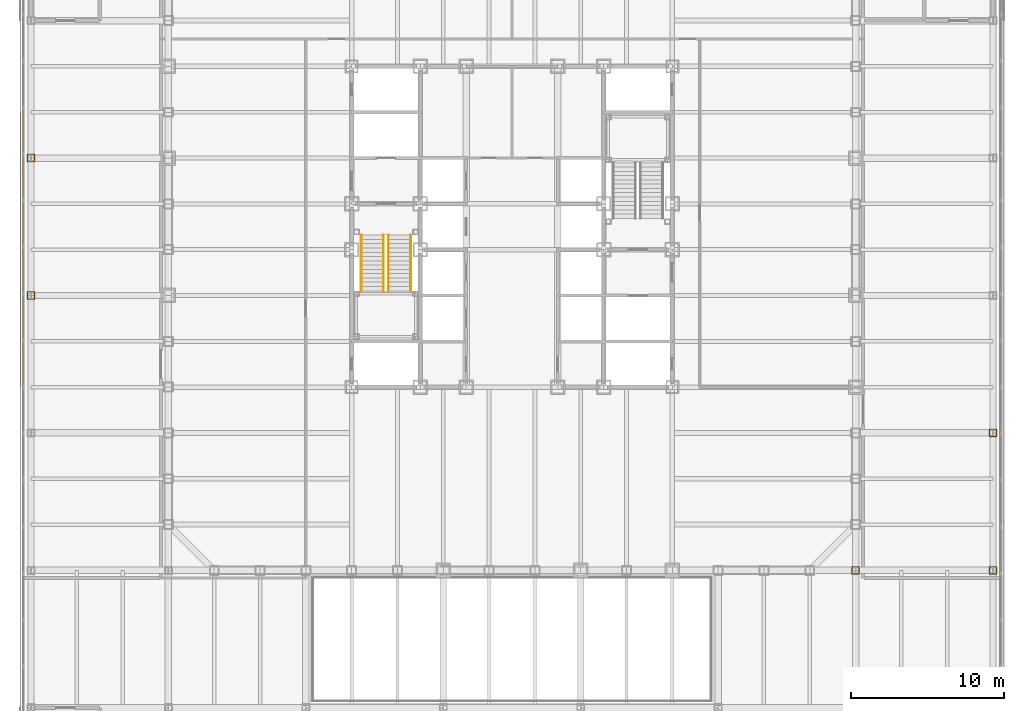
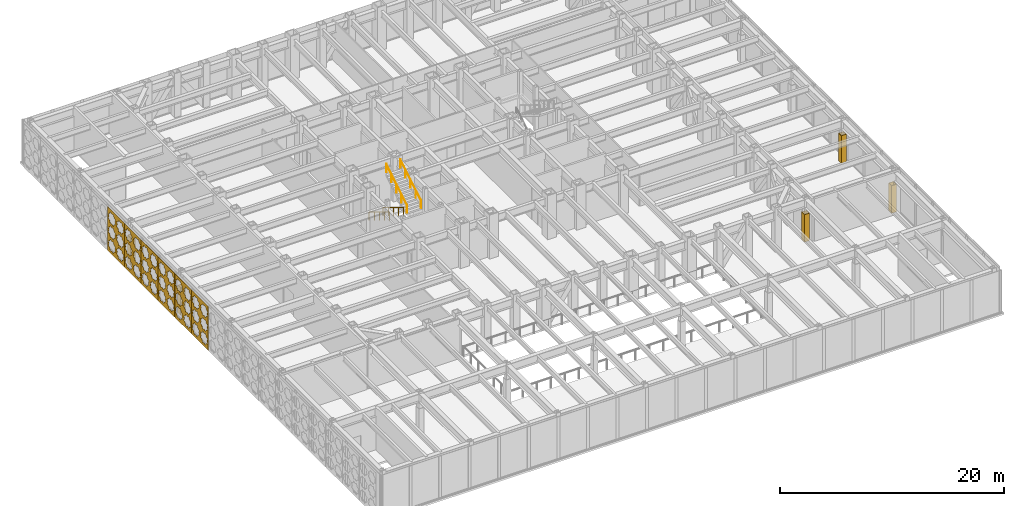
# One storey, part 20 of 24: 6 shading devices, 5 coverings, 4 railings.
"""IFC4 building model written with IfcOpenShell, lengths in metres."""

import ifcopenshell
import ifcopenshell.guid

model = None  # the IFC model being written
_history = None  # IfcOwnerHistory: only IFC2X3 demands one
_inside = {}  # id of a spatial element -> (the spatial element, [elements in it])
_under = {}  # id of a project, library or spatial element -> (it, [spatial elements below it])
_declared = {}  # id of a project -> (the project, [libraries it declares])
_typed = {}  # id of a type object -> (the type object, [elements of that type])
_made_of = {}  # id of a material, layer set ... -> (it, [elements and type objects made of it])


def new_model(schema):
    """Start an empty IFC model of exactly this schema.

    Asked for "IFC4X3", IfcOpenShell would pick the latest addendum, in which some entities
    have other attributes; the version numbers below select the first issue.
    IFC2X3 requires an IfcOwnerHistory on every rooted entity: one is made here for all.
    """
    global model, _history
    if schema == "IFC4X3":
        model = ifcopenshell.file(schema_version=(4, 3, 0, 0))
    else:
        model = ifcopenshell.file(schema=schema)
    _inside.clear()
    _under.clear()
    _declared.clear()
    _typed.clear()
    _made_of.clear()
    _history = None
    if model.schema == "IFC2X3":
        org = make("IfcOrganization", Name="unknown")
        user = make(
            "IfcPersonAndOrganization",
            ThePerson=make("IfcPerson", FamilyName="unknown"),
            TheOrganization=org,
        )
        app = make(
            "IfcApplication",
            ApplicationDeveloper=org,
            Version="unknown",
            ApplicationFullName="unknown",
            ApplicationIdentifier="unknown",
        )
        _history = make(
            "IfcOwnerHistory",
            OwningUser=user,
            OwningApplication=app,
            ChangeAction="ADDED",
            CreationDate=0,
        )
    return model


def make(cls, **values):
    """One entity of the class cls with the attributes given. An attribute that is None is left unset."""
    return model.create_entity(
        cls, **{name: value for name, value in values.items() if value is not None}
    )


def rooted(cls, **values):
    """An entity with a GlobalId (a new one), such as an element, a storey or a relation."""
    return make(cls, GlobalId=ifcopenshell.guid.new(), OwnerHistory=_history, **values)


def si_unit(unit_type, name, prefix=None):
    """IfcSIUnit, for example si_unit("LENGTHUNIT", "METRE", prefix="MILLI")."""
    return make("IfcSIUnit", UnitType=unit_type, Prefix=prefix, Name=name)


def assignment(units):
    """IfcUnitAssignment: the units of a project."""
    return None if units is None else make("IfcUnitAssignment", Units=units)


def point(xyz):
    """IfcCartesianPoint."""
    return None if xyz is None else make("IfcCartesianPoint", Coordinates=xyz)


def direction(xyz):
    """IfcDirection."""
    return None if xyz is None else make("IfcDirection", DirectionRatios=xyz)


def frame(location, z_axis=None, x_axis=None):
    """IfcAxis2Placement3D, a coordinate frame: its origin and axes. An axis left out is left unset."""
    return make(
        "IfcAxis2Placement3D",
        Location=point(location),
        Axis=direction(z_axis),
        RefDirection=direction(x_axis),
    )


def frame_2d(location, x_axis=None):
    """IfcAxis2Placement2D, a coordinate frame in the plane: its origin and x axis."""
    return make(
        "IfcAxis2Placement2D", Location=point(location), RefDirection=direction(x_axis)
    )


def origin():
    """The frame at (0, 0, 0) with its axes left unset."""
    return frame((0.0, 0.0, 0.0))


def origin_2d():
    """The frame at (0, 0) in the plane with its x axis left unset."""
    return frame_2d((0.0, 0.0))


def place(relative_to, where):
    """IfcLocalPlacement: puts the frame where relative to a parent placement (None: the world)."""
    return make(
        "IfcLocalPlacement", PlacementRelTo=relative_to, RelativePlacement=where
    )


def context(
    kind, dimensions, precision=None, world=None, true_north=None, identifier=None
):
    """IfcGeometricRepresentationContext, for example the 3D "Model" context."""
    return make(
        "IfcGeometricRepresentationContext",
        ContextIdentifier=identifier,
        ContextType=kind,
        CoordinateSpaceDimension=dimensions,
        Precision=precision,
        WorldCoordinateSystem=world,
        TrueNorth=true_north,
    )


def subcontext(parent, identifier, kind, view, scale=None):
    """IfcGeometricRepresentationSubContext, for example "Body" below "Model"."""
    return make(
        "IfcGeometricRepresentationSubContext",
        ContextIdentifier=identifier,
        ContextType=kind,
        ParentContext=parent,
        TargetScale=scale,
        TargetView=view,
    )


def project(units=None, contexts=None):
    """IfcProject with its units and contexts."""
    return rooted(
        "IfcProject",
        Name="project",
        RepresentationContexts=contexts,
        UnitsInContext=assignment(units),
    )


def spatial(cls, under=None, at=None, **own):
    """A site, building, storey or space (cls), placed at a placement, below another one or the project."""
    s = rooted(cls, ObjectPlacement=at, **own)
    if under is not None:
        _under.setdefault(under.id(), (under, []))[1].append(s)
    return s


def polyline(points):
    """IfcPolyline through the points."""
    return make("IfcPolyline", Points=[point(p) for p in points])


def profile(cls, at=None, kind="AREA", **sizes):
    """A parametric profile (cls). Its sizes go by their IFC names, for example OverallWidth=200.0."""
    return make(cls, ProfileType=kind, Position=at, **sizes)


def circle(**sizes):
    """IfcCircleProfileDef."""
    return profile("IfcCircleProfileDef", **sizes)


def outline(outer, holes=None, kind="AREA"):
    """IfcArbitraryClosedProfileDef: a profile drawn as a closed curve; with holes, ...WithVoids."""
    if holes is None:
        return make("IfcArbitraryClosedProfileDef", ProfileType=kind, OuterCurve=outer)
    return make(
        "IfcArbitraryProfileDefWithVoids",
        ProfileType=kind,
        OuterCurve=outer,
        InnerCurves=holes,
    )


def extrude(swept, where, along, depth):
    """IfcExtrudedAreaSolid: the profile swept, set in the frame where, extruded along a direction by depth."""
    return make(
        "IfcExtrudedAreaSolid",
        SweptArea=swept,
        Position=where,
        ExtrudedDirection=direction(along),
        Depth=depth,
    )


def shape(context_of_items, identifier, shape_type, items):
    """IfcShapeRepresentation: the items that make up one representation, for example the "Body"."""
    return make(
        "IfcShapeRepresentation",
        ContextOfItems=context_of_items,
        RepresentationIdentifier=identifier,
        RepresentationType=shape_type,
        Items=items,
    )


def material(Name=None, Category=None):
    """IfcMaterial."""
    return make("IfcMaterial", Name=Name, Category=Category)


def layer(
    of_material, thickness, ventilated=None, Name=None, Category=None, Priority=None
):
    """IfcMaterialLayer: one layer of a wall or slab, of a material (None: an air gap)."""
    return make(
        "IfcMaterialLayer",
        Material=of_material,
        LayerThickness=thickness,
        IsVentilated=ventilated,
        Name=Name,
        Category=Category,
        Priority=Priority,
    )


def layer_set(layers, Name=None):
    """IfcMaterialLayerSet."""
    return make("IfcMaterialLayerSet", MaterialLayers=layers, LayerSetName=Name)


def made_of(thing, what):
    """Note that an element or type object is made of a material, layer set ...; save() writes the relation."""
    if what is not None:
        _made_of.setdefault(what.id(), (what, []))[1].append(thing)
    return thing


def type_object(cls, material=None, **own):
    """A type object (cls), such as IfcWallType, which elements share."""
    return made_of(rooted(cls, **own), material)


def element(
    cls,
    number,
    at=None,
    inside=None,
    cuts=None,
    type_object=None,
    material=None,
    context=None,
    identifier="Body",
    shape_type=None,
    held_by="IfcProductDefinitionShape",
    body=None,
    shapes=None,
    **own,
):
    """One element of the class cls, such as IfcWall. Its Tag is "e" and its number.

    at: its placement. inside: the storey or other place that contains it. cuts: it is an
    opening in that element (IfcRelVoidsElement). A single representation is given by context,
    identifier, shape_type and body (its items); several are given by shapes. held_by: the class
    of the entity that holds the representations. save() writes the other relations.
    """
    e = rooted(cls, Tag="e%d" % number, ObjectPlacement=at, **own)
    if body is not None:
        shapes = [shape(context, identifier, shape_type, body)]
    if shapes is not None:
        e.Representation = make(held_by, Representations=shapes)
    if inside is not None:
        _inside.setdefault(inside.id(), (inside, []))[1].append(e)
    if cuts is not None:
        rooted(
            "IfcRelVoidsElement", RelatingBuildingElement=cuts, RelatedOpeningElement=e
        )
    if type_object is not None:
        _typed.setdefault(type_object.id(), (type_object, []))[1].append(e)
    return made_of(e, material)


def aggregate(whole, parts):
    """IfcRelAggregates: a whole, such as a stair, and the parts it consists of."""
    return rooted("IfcRelAggregates", RelatingObject=whole, RelatedObjects=parts)


def save(model, path):
    """Write the relations noted so far, then the file.

    IfcRelAggregates (storeys below a building ...), IfcRelContainedInSpatialStructure (elements
    in a storey), IfcRelDefinesByType, IfcRelAssociatesMaterial and IfcRelDeclares: one each for
    every whole, place, type object, material and project.
    """
    for whole, parts in _under.values():
        aggregate(whole, parts)
    for where, things in _inside.values():
        rooted(
            "IfcRelContainedInSpatialStructure",
            RelatedElements=things,
            RelatingStructure=where,
        )
    for kind, things in _typed.values():
        rooted("IfcRelDefinesByType", RelatedObjects=things, RelatingType=kind)
    for what, things in _made_of.values():
        rooted("IfcRelAssociatesMaterial", RelatedObjects=things, RelatingMaterial=what)
    for by, libraries in _declared.values():
        rooted("IfcRelDeclares", RelatingContext=by, RelatedDefinitions=libraries)
    model.write(path)


model = new_model("IFC4")

# Units and contexts
model_context = context("Model", 3, precision=1e-05, world=origin(), true_north=direction((0.0, 1.0)))
body_context = subcontext(model_context, "Body", "Model", "MODEL_VIEW")
ifc_project = project(units=[si_unit("LENGTHUNIT", "METRE"), si_unit("AREAUNIT", "SQUARE_METRE"), si_unit("VOLUMEUNIT", "CUBIC_METRE"), si_unit("PLANEANGLEUNIT", "RADIAN"), si_unit("MASSUNIT", "GRAM", prefix="KILO")], contexts=[model_context])

# Site, building, storey
site_placement = place(None, origin())
site = spatial("IfcSite", under=ifc_project, at=site_placement, CompositionType="ELEMENT")
building_placement = place(site_placement, origin())
building = spatial("IfcBuilding", under=site, at=building_placement, Name="Chuquiago Exchange Tower", CompositionType="ELEMENT")
storey_placement = place(building_placement, frame((0.0, 0.0, 19.5)))
storey = spatial("IfcBuildingStorey", under=building, at=storey_placement, Name="L03", CompositionType="ELEMENT", Elevation=19.5)

# Coverings
ifc_material_1 = material(Name="Pale metal sheet casing on rails", Category="aluminium")
ifc_layer_1 = layer(ifc_material_1, 0.050048828125)
ifc_layer_set_1 = layer_set([ifc_layer_1], Name="CS1 column casing 50")
covering_type = type_object("IfcCoveringType", Name="CS1 column casing 50", PredefinedType="CLADDING", material=ifc_layer_set_1)
covering_1_placement = place(storey_placement, origin())
element("IfcCovering", 1, at=covering_1_placement, inside=storey, type_object=covering_type, Name="Column casing L03", PredefinedType="CLADDING", context=body_context, shape_type="SweptSolid", body=[
    extrude(outline(polyline([(-9.255615234375, 17.73291015625), (-8.744384765625, 17.73291015625), (-8.744384765625, 18.26708984375), (-9.255615234375, 18.26708984375), (-9.255615234375, 17.73291015625)]), holes=[polyline([(-9.205810546875, 17.78271484375), (-9.205810546875, 18.21728515625), (-8.794189453125, 18.21728515625), (-8.794189453125, 17.78271484375), (-9.205810546875, 17.78271484375)])]), origin(), (0.0, 0.0, 1.0), 3.0),
])
covering_2_placement = place(storey_placement, origin())
element("IfcCovering", 2, at=covering_2_placement, inside=storey, type_object=covering_type, Name="Column casing L03", PredefinedType="CLADDING", context=body_context, shape_type="SweptSolid", body=[
    extrude(outline(polyline([(-9.255615234375, 26.73291015625), (-8.744384765625, 26.73291015625), (-8.744384765625, 27.26708984375), (-9.255615234375, 27.26708984375), (-9.255615234375, 26.73291015625)]), holes=[polyline([(-9.205810546875, 26.78271484375), (-9.205810546875, 27.21728515625), (-8.794189453125, 27.21728515625), (-8.794189453125, 26.78271484375), (-9.205810546875, 26.78271484375)])]), origin(), (0.0, 0.0, 1.0), 3.0),
])
covering_3_placement = place(storey_placement, origin())
element("IfcCovering", 3, at=covering_3_placement, inside=storey, type_object=covering_type, Name="Column casing L03", PredefinedType="CLADDING", context=body_context, shape_type="SweptSolid", body=[
    extrude(outline(polyline([(44.744384765625, -0.26708984375), (45.255615234375, -0.26708984375), (45.255615234375, 0.26708984375), (44.744384765625, 0.26708984375), (44.744384765625, -0.26708984375)]), holes=[polyline([(44.794189453125, -0.21728515625), (44.794189453125, 0.21728515625), (45.205810546875, 0.21728515625), (45.205810546875, -0.21728515625), (44.794189453125, -0.21728515625)])]), origin(), (0.0, 0.0, 1.0), 3.0),
])
covering_4_placement = place(storey_placement, origin())
element("IfcCovering", 4, at=covering_4_placement, inside=storey, type_object=covering_type, Name="Column casing L03", PredefinedType="CLADDING", context=body_context, shape_type="SweptSolid", body=[
    extrude(outline(polyline([(53.744384765625, -0.26708984375), (54.255615234375, -0.26708984375), (54.255615234375, 0.26708984375), (53.744384765625, 0.26708984375), (53.744384765625, -0.26708984375)]), holes=[polyline([(53.794189453125, -0.21728515625), (53.794189453125, 0.21728515625), (54.205810546875, 0.21728515625), (54.205810546875, -0.21728515625), (53.794189453125, -0.21728515625)])]), origin(), (0.0, 0.0, 1.0), 3.0),
])
covering_5_placement = place(storey_placement, origin())
element("IfcCovering", 5, at=covering_5_placement, inside=storey, type_object=covering_type, Name="Column casing L03", PredefinedType="CLADDING", context=body_context, shape_type="SweptSolid", body=[
    extrude(outline(polyline([(53.744384765625, 8.73291015625), (54.255615234375, 8.73291015625), (54.255615234375, 9.26708984375), (53.744384765625, 9.26708984375), (53.744384765625, 8.73291015625)]), holes=[polyline([(53.794189453125, 8.78271484375), (53.794189453125, 9.21728515625), (54.205810546875, 9.21728515625), (54.205810546875, 8.78271484375), (53.794189453125, 8.78271484375)])]), origin(), (0.0, 0.0, 1.0), 3.0),
])

# Railings
ifc_material_2 = material(Name="Pale metal handrail", Category="steel")
railing_type = type_object("IfcRailingType", Name="HR1 handrail 900", PredefinedType="HANDRAIL", material=ifc_material_2)
for number, where, name in (
    (6, (12.635009765625, 21.949951171875, 0.17138671875), "Handrail ST1 L03 flight 1"),
    (7, (14.0849609375, 21.949951171875, 0.17138671875), "Handrail ST1 L03 flight 1"),
):
    element("IfcRailing", number, at=place(storey_placement, frame(where)), inside=storey, type_object=railing_type, Name=name, PredefinedType="HANDRAIL", context=body_context, shape_type="SweptSolid", body=[
        extrude(circle(Radius=0.02392578125, at=origin_2d()), frame((0.0, 0.0, 0.8759765625), z_axis=(0.0, -0.852850264322, 0.5221555579), x_axis=(1.0, 0.0, 0.0)), (0.0, 0.0, 1.0), 4.267822265625),
        extrude(circle(Radius=0.02099609375, at=origin_2d()), origin(), (0.0, 0.0, 1.0), 0.851806640625),
        extrude(circle(Radius=0.02099609375, at=origin_2d()), frame((0.0, -0.909912109375, 0.55712890625)), (0.0, 0.0, 1.0), 0.851806640625),
        extrude(circle(Radius=0.02099609375, at=origin_2d()), frame((0.0, -1.81982421875, 1.1142578125)), (0.0, 0.0, 1.0), 0.851806640625),
        extrude(circle(Radius=0.02099609375, at=origin_2d()), frame((0.0, -2.72998046875, 1.67138671875)), (0.0, 0.0, 1.0), 0.851806640625),
        extrude(circle(Radius=0.02099609375, at=origin_2d()), frame((0.0, -3.639892578125, 2.228515625)), (0.0, 0.0, 1.0), 0.851806640625),
    ])
for number, where, name in (
    (8, (15.864990234375, 18.31005859375, 2.5712890625), "Handrail ST1 L03 flight 2"),
    (9, (14.4150390625, 18.31005859375, 2.5712890625), "Handrail ST1 L03 flight 2"),
):
    element("IfcRailing", number, at=place(storey_placement, frame(where)), inside=storey, type_object=railing_type, Name=name, PredefinedType="HANDRAIL", context=body_context, shape_type="SweptSolid", body=[
        extrude(circle(Radius=0.02392578125, at=origin_2d()), frame((0.0, 0.0, 0.8759765625), z_axis=(0.0, 0.852824790078, 0.522197163366), x_axis=(-1.0, 0.0, 0.0)), (0.0, 0.0, 1.0), 4.26806640625),
        extrude(circle(Radius=0.02099609375, at=origin_2d()), origin(), (0.0, 0.0, 1.0), 0.851806640625),
        extrude(circle(Radius=0.02099609375, at=origin_2d()), frame((0.0, 0.909912109375, 0.55712890625)), (0.0, 0.0, 1.0), 0.851806640625),
        extrude(circle(Radius=0.02099609375, at=origin_2d()), frame((0.0, 1.81982421875, 1.1142578125)), (0.0, 0.0, 1.0), 0.851806640625),
        extrude(circle(Radius=0.02099609375, at=origin_2d()), frame((0.0, 2.72998046875, 1.671630859375)), (0.0, 0.0, 1.0), 0.851806640625),
        extrude(circle(Radius=0.02099609375, at=origin_2d()), frame((0.0, 3.639892578125, 2.228759765625)), (0.0, 0.0, 1.0), 0.851806640625),
    ])

# Shading devices
ifc_material_3 = material(Name="Pale metal, perforated in an eight-point star pattern", Category="aluminium")
ifc_layer_2 = layer(ifc_material_3, 0.02001953125)
ifc_layer_set_2 = layer_set([ifc_layer_2], Name="SC1 mashrabiya screen 20")
shading_device_type = type_object("IfcShadingDeviceType", Name="SC1 mashrabiya screen 20", PredefinedType="SHUTTER", material=ifc_layer_set_2)
shading_device_1_placement = place(storey_placement, frame((-9.699951171875, 14.989990234375, -0.199951171875), z_axis=(0.0, 0.0, 1.0), x_axis=(0.0, -1.0, 0.0)))
element("IfcShadingDevice", 10, at=shading_device_1_placement, inside=storey, type_object=shading_device_type, Name="Mashrabiya screen L03 W 11", PredefinedType="SHUTTER", context=body_context, shape_type="SweptSolid", body=[
    extrude(outline(polyline([(0.0, 0.0), (2.97998046875, 0.0), (2.97998046875, 4.800048828125), (0.0, 4.800048828125), (0.0, 0.0)]), holes=[polyline([(1.26953125, 0.909912109375), (1.378173828125, 1.17236328125), (1.115966796875, 1.281005859375), (1.00732421875, 1.543212890625), (0.7451171875, 1.4345703125), (0.482666015625, 1.543212890625), (0.3740234375, 1.281005859375), (0.11181640625, 1.17236328125), (0.220458984375, 0.909912109375), (0.11181640625, 0.647705078125), (0.3740234375, 0.5390625), (0.482666015625, 0.27685546875), (0.7451171875, 0.38525390625), (1.00732421875, 0.27685546875), (1.115966796875, 0.5390625), (1.378173828125, 0.647705078125), (1.26953125, 0.909912109375)]), polyline([(2.759521484375, 0.909912109375), (2.8681640625, 1.17236328125), (2.60595703125, 1.281005859375), (2.497314453125, 1.543212890625), (2.235107421875, 1.4345703125), (1.97265625, 1.543212890625), (1.864013671875, 1.281005859375), (1.601806640625, 1.17236328125), (1.71044921875, 0.909912109375), (1.601806640625, 0.647705078125), (1.864013671875, 0.5390625), (1.97265625, 0.27685546875), (2.235107421875, 0.38525390625), (2.497314453125, 0.27685546875), (2.60595703125, 0.5390625), (2.8681640625, 0.647705078125), (2.759521484375, 0.909912109375)]), polyline([(1.26953125, 2.39990234375), (1.378173828125, 2.662353515625), (1.115966796875, 2.77099609375), (1.00732421875, 3.033203125), (0.7451171875, 2.924560546875), (0.482666015625, 3.033203125), (0.3740234375, 2.77099609375), (0.11181640625, 2.662353515625), (0.220458984375, 2.39990234375), (0.11181640625, 2.1376953125), (0.3740234375, 2.029052734375), (0.482666015625, 1.766845703125), (0.7451171875, 1.875244140625), (1.00732421875, 1.766845703125), (1.115966796875, 2.029052734375), (1.378173828125, 2.1376953125), (1.26953125, 2.39990234375)]), polyline([(2.759521484375, 2.39990234375), (2.8681640625, 2.662353515625), (2.60595703125, 2.77099609375), (2.497314453125, 3.033203125), (2.235107421875, 2.924560546875), (1.97265625, 3.033203125), (1.864013671875, 2.77099609375), (1.601806640625, 2.662353515625), (1.71044921875, 2.39990234375), (1.601806640625, 2.1376953125), (1.864013671875, 2.029052734375), (1.97265625, 1.766845703125), (2.235107421875, 1.875244140625), (2.497314453125, 1.766845703125), (2.60595703125, 2.029052734375), (2.8681640625, 2.1376953125), (2.759521484375, 2.39990234375)]), polyline([(1.26953125, 3.889892578125), (1.378173828125, 4.15234375), (1.115966796875, 4.260986328125), (1.00732421875, 4.523193359375), (0.7451171875, 4.41455078125), (0.482666015625, 4.523193359375), (0.3740234375, 4.260986328125), (0.11181640625, 4.15234375), (0.220458984375, 3.889892578125), (0.11181640625, 3.627685546875), (0.3740234375, 3.51904296875), (0.482666015625, 3.2568359375), (0.7451171875, 3.365234375), (1.00732421875, 3.2568359375), (1.115966796875, 3.51904296875), (1.378173828125, 3.627685546875), (1.26953125, 3.889892578125)]), polyline([(2.759521484375, 3.889892578125), (2.8681640625, 4.15234375), (2.60595703125, 4.260986328125), (2.497314453125, 4.523193359375), (2.235107421875, 4.41455078125), (1.97265625, 4.523193359375), (1.864013671875, 4.260986328125), (1.601806640625, 4.15234375), (1.71044921875, 3.889892578125), (1.601806640625, 3.627685546875), (1.864013671875, 3.51904296875), (1.97265625, 3.2568359375), (2.235107421875, 3.365234375), (2.497314453125, 3.2568359375), (2.60595703125, 3.51904296875), (2.8681640625, 3.627685546875), (2.759521484375, 3.889892578125)])]), frame((0.0, 0.0, 0.0), z_axis=(0.0, -1.0, 0.0), x_axis=(1.0, 0.0, 0.0)), (0.0, 0.0, 1.0), 0.02001953125),
])
shading_device_2_placement = place(storey_placement, frame((-9.699951171875, 17.989990234375, -0.199951171875), z_axis=(0.0, 0.0, 1.0), x_axis=(0.0, -1.0, 0.0)))
element("IfcShadingDevice", 11, at=shading_device_2_placement, inside=storey, type_object=shading_device_type, Name="Mashrabiya screen L03 W 12", PredefinedType="SHUTTER", context=body_context, shape_type="SweptSolid", body=[
    extrude(outline(polyline([(0.0, 0.0), (2.97998046875, 0.0), (2.97998046875, 4.800048828125), (0.0, 4.800048828125), (0.0, 0.0)]), holes=[polyline([(1.26953125, 0.909912109375), (1.378173828125, 1.17236328125), (1.115966796875, 1.281005859375), (1.00732421875, 1.543212890625), (0.7451171875, 1.4345703125), (0.482666015625, 1.543212890625), (0.3740234375, 1.281005859375), (0.11181640625, 1.17236328125), (0.220458984375, 0.909912109375), (0.11181640625, 0.647705078125), (0.3740234375, 0.5390625), (0.482666015625, 0.27685546875), (0.7451171875, 0.38525390625), (1.00732421875, 0.27685546875), (1.115966796875, 0.5390625), (1.378173828125, 0.647705078125), (1.26953125, 0.909912109375)]), polyline([(2.759521484375, 0.909912109375), (2.8681640625, 1.17236328125), (2.60595703125, 1.281005859375), (2.497314453125, 1.543212890625), (2.235107421875, 1.4345703125), (1.97265625, 1.543212890625), (1.864013671875, 1.281005859375), (1.601806640625, 1.17236328125), (1.71044921875, 0.909912109375), (1.601806640625, 0.647705078125), (1.864013671875, 0.5390625), (1.97265625, 0.27685546875), (2.235107421875, 0.38525390625), (2.497314453125, 0.27685546875), (2.60595703125, 0.5390625), (2.8681640625, 0.647705078125), (2.759521484375, 0.909912109375)]), polyline([(1.26953125, 2.39990234375), (1.378173828125, 2.662353515625), (1.115966796875, 2.77099609375), (1.00732421875, 3.033203125), (0.7451171875, 2.924560546875), (0.482666015625, 3.033203125), (0.3740234375, 2.77099609375), (0.11181640625, 2.662353515625), (0.220458984375, 2.39990234375), (0.11181640625, 2.1376953125), (0.3740234375, 2.029052734375), (0.482666015625, 1.766845703125), (0.7451171875, 1.875244140625), (1.00732421875, 1.766845703125), (1.115966796875, 2.029052734375), (1.378173828125, 2.1376953125), (1.26953125, 2.39990234375)]), polyline([(2.759521484375, 2.39990234375), (2.8681640625, 2.662353515625), (2.60595703125, 2.77099609375), (2.497314453125, 3.033203125), (2.235107421875, 2.924560546875), (1.97265625, 3.033203125), (1.864013671875, 2.77099609375), (1.601806640625, 2.662353515625), (1.71044921875, 2.39990234375), (1.601806640625, 2.1376953125), (1.864013671875, 2.029052734375), (1.97265625, 1.766845703125), (2.235107421875, 1.875244140625), (2.497314453125, 1.766845703125), (2.60595703125, 2.029052734375), (2.8681640625, 2.1376953125), (2.759521484375, 2.39990234375)]), polyline([(1.26953125, 3.889892578125), (1.378173828125, 4.15234375), (1.115966796875, 4.260986328125), (1.00732421875, 4.523193359375), (0.7451171875, 4.41455078125), (0.482666015625, 4.523193359375), (0.3740234375, 4.260986328125), (0.11181640625, 4.15234375), (0.220458984375, 3.889892578125), (0.11181640625, 3.627685546875), (0.3740234375, 3.51904296875), (0.482666015625, 3.2568359375), (0.7451171875, 3.365234375), (1.00732421875, 3.2568359375), (1.115966796875, 3.51904296875), (1.378173828125, 3.627685546875), (1.26953125, 3.889892578125)]), polyline([(2.759521484375, 3.889892578125), (2.8681640625, 4.15234375), (2.60595703125, 4.260986328125), (2.497314453125, 4.523193359375), (2.235107421875, 4.41455078125), (1.97265625, 4.523193359375), (1.864013671875, 4.260986328125), (1.601806640625, 4.15234375), (1.71044921875, 3.889892578125), (1.601806640625, 3.627685546875), (1.864013671875, 3.51904296875), (1.97265625, 3.2568359375), (2.235107421875, 3.365234375), (2.497314453125, 3.2568359375), (2.60595703125, 3.51904296875), (2.8681640625, 3.627685546875), (2.759521484375, 3.889892578125)])]), frame((0.0, 0.0, 0.0), z_axis=(0.0, -1.0, 0.0), x_axis=(1.0, 0.0, 0.0)), (0.0, 0.0, 1.0), 0.02001953125),
])
shading_device_3_placement = place(storey_placement, frame((-9.699951171875, 20.989990234375, -0.199951171875), z_axis=(0.0, 0.0, 1.0), x_axis=(0.0, -1.0, 0.0)))
element("IfcShadingDevice", 12, at=shading_device_3_placement, inside=storey, type_object=shading_device_type, Name="Mashrabiya screen L03 W 13", PredefinedType="SHUTTER", context=body_context, shape_type="SweptSolid", body=[
    extrude(outline(polyline([(0.0, 0.0), (2.97998046875, 0.0), (2.97998046875, 4.800048828125), (0.0, 4.800048828125), (0.0, 0.0)]), holes=[polyline([(1.26953125, 0.909912109375), (1.378173828125, 1.17236328125), (1.115966796875, 1.281005859375), (1.00732421875, 1.543212890625), (0.7451171875, 1.4345703125), (0.482666015625, 1.543212890625), (0.3740234375, 1.281005859375), (0.11181640625, 1.17236328125), (0.220458984375, 0.909912109375), (0.11181640625, 0.647705078125), (0.3740234375, 0.5390625), (0.482666015625, 0.27685546875), (0.7451171875, 0.38525390625), (1.00732421875, 0.27685546875), (1.115966796875, 0.5390625), (1.378173828125, 0.647705078125), (1.26953125, 0.909912109375)]), polyline([(2.759521484375, 0.909912109375), (2.8681640625, 1.17236328125), (2.60595703125, 1.281005859375), (2.497314453125, 1.543212890625), (2.235107421875, 1.4345703125), (1.97265625, 1.543212890625), (1.864013671875, 1.281005859375), (1.601806640625, 1.17236328125), (1.71044921875, 0.909912109375), (1.601806640625, 0.647705078125), (1.864013671875, 0.5390625), (1.97265625, 0.27685546875), (2.235107421875, 0.38525390625), (2.497314453125, 0.27685546875), (2.60595703125, 0.5390625), (2.8681640625, 0.647705078125), (2.759521484375, 0.909912109375)]), polyline([(1.26953125, 2.39990234375), (1.378173828125, 2.662353515625), (1.115966796875, 2.77099609375), (1.00732421875, 3.033203125), (0.7451171875, 2.924560546875), (0.482666015625, 3.033203125), (0.3740234375, 2.77099609375), (0.11181640625, 2.662353515625), (0.220458984375, 2.39990234375), (0.11181640625, 2.1376953125), (0.3740234375, 2.029052734375), (0.482666015625, 1.766845703125), (0.7451171875, 1.875244140625), (1.00732421875, 1.766845703125), (1.115966796875, 2.029052734375), (1.378173828125, 2.1376953125), (1.26953125, 2.39990234375)]), polyline([(2.759521484375, 2.39990234375), (2.8681640625, 2.662353515625), (2.60595703125, 2.77099609375), (2.497314453125, 3.033203125), (2.235107421875, 2.924560546875), (1.97265625, 3.033203125), (1.864013671875, 2.77099609375), (1.601806640625, 2.662353515625), (1.71044921875, 2.39990234375), (1.601806640625, 2.1376953125), (1.864013671875, 2.029052734375), (1.97265625, 1.766845703125), (2.235107421875, 1.875244140625), (2.497314453125, 1.766845703125), (2.60595703125, 2.029052734375), (2.8681640625, 2.1376953125), (2.759521484375, 2.39990234375)]), polyline([(1.26953125, 3.889892578125), (1.378173828125, 4.15234375), (1.115966796875, 4.260986328125), (1.00732421875, 4.523193359375), (0.7451171875, 4.41455078125), (0.482666015625, 4.523193359375), (0.3740234375, 4.260986328125), (0.11181640625, 4.15234375), (0.220458984375, 3.889892578125), (0.11181640625, 3.627685546875), (0.3740234375, 3.51904296875), (0.482666015625, 3.2568359375), (0.7451171875, 3.365234375), (1.00732421875, 3.2568359375), (1.115966796875, 3.51904296875), (1.378173828125, 3.627685546875), (1.26953125, 3.889892578125)]), polyline([(2.759521484375, 3.889892578125), (2.8681640625, 4.15234375), (2.60595703125, 4.260986328125), (2.497314453125, 4.523193359375), (2.235107421875, 4.41455078125), (1.97265625, 4.523193359375), (1.864013671875, 4.260986328125), (1.601806640625, 4.15234375), (1.71044921875, 3.889892578125), (1.601806640625, 3.627685546875), (1.864013671875, 3.51904296875), (1.97265625, 3.2568359375), (2.235107421875, 3.365234375), (2.497314453125, 3.2568359375), (2.60595703125, 3.51904296875), (2.8681640625, 3.627685546875), (2.759521484375, 3.889892578125)])]), frame((0.0, 0.0, 0.0), z_axis=(0.0, -1.0, 0.0), x_axis=(1.0, 0.0, 0.0)), (0.0, 0.0, 1.0), 0.02001953125),
])
shading_device_4_placement = place(storey_placement, frame((-9.699951171875, 23.989990234375, -0.199951171875), z_axis=(0.0, 0.0, 1.0), x_axis=(0.0, -1.0, 0.0)))
element("IfcShadingDevice", 13, at=shading_device_4_placement, inside=storey, type_object=shading_device_type, Name="Mashrabiya screen L03 W 14", PredefinedType="SHUTTER", context=body_context, shape_type="SweptSolid", body=[
    extrude(outline(polyline([(0.0, 0.0), (2.97998046875, 0.0), (2.97998046875, 4.800048828125), (0.0, 4.800048828125), (0.0, 0.0)]), holes=[polyline([(1.26953125, 0.909912109375), (1.378173828125, 1.17236328125), (1.115966796875, 1.281005859375), (1.00732421875, 1.543212890625), (0.7451171875, 1.4345703125), (0.482666015625, 1.543212890625), (0.3740234375, 1.281005859375), (0.11181640625, 1.17236328125), (0.220458984375, 0.909912109375), (0.11181640625, 0.647705078125), (0.3740234375, 0.5390625), (0.482666015625, 0.27685546875), (0.7451171875, 0.38525390625), (1.00732421875, 0.27685546875), (1.115966796875, 0.5390625), (1.378173828125, 0.647705078125), (1.26953125, 0.909912109375)]), polyline([(2.759521484375, 0.909912109375), (2.8681640625, 1.17236328125), (2.60595703125, 1.281005859375), (2.497314453125, 1.543212890625), (2.235107421875, 1.4345703125), (1.97265625, 1.543212890625), (1.864013671875, 1.281005859375), (1.601806640625, 1.17236328125), (1.71044921875, 0.909912109375), (1.601806640625, 0.647705078125), (1.864013671875, 0.5390625), (1.97265625, 0.27685546875), (2.235107421875, 0.38525390625), (2.497314453125, 0.27685546875), (2.60595703125, 0.5390625), (2.8681640625, 0.647705078125), (2.759521484375, 0.909912109375)]), polyline([(1.26953125, 2.39990234375), (1.378173828125, 2.662353515625), (1.115966796875, 2.77099609375), (1.00732421875, 3.033203125), (0.7451171875, 2.924560546875), (0.482666015625, 3.033203125), (0.3740234375, 2.77099609375), (0.11181640625, 2.662353515625), (0.220458984375, 2.39990234375), (0.11181640625, 2.1376953125), (0.3740234375, 2.029052734375), (0.482666015625, 1.766845703125), (0.7451171875, 1.875244140625), (1.00732421875, 1.766845703125), (1.115966796875, 2.029052734375), (1.378173828125, 2.1376953125), (1.26953125, 2.39990234375)]), polyline([(2.759521484375, 2.39990234375), (2.8681640625, 2.662353515625), (2.60595703125, 2.77099609375), (2.497314453125, 3.033203125), (2.235107421875, 2.924560546875), (1.97265625, 3.033203125), (1.864013671875, 2.77099609375), (1.601806640625, 2.662353515625), (1.71044921875, 2.39990234375), (1.601806640625, 2.1376953125), (1.864013671875, 2.029052734375), (1.97265625, 1.766845703125), (2.235107421875, 1.875244140625), (2.497314453125, 1.766845703125), (2.60595703125, 2.029052734375), (2.8681640625, 2.1376953125), (2.759521484375, 2.39990234375)]), polyline([(1.26953125, 3.889892578125), (1.378173828125, 4.15234375), (1.115966796875, 4.260986328125), (1.00732421875, 4.523193359375), (0.7451171875, 4.41455078125), (0.482666015625, 4.523193359375), (0.3740234375, 4.260986328125), (0.11181640625, 4.15234375), (0.220458984375, 3.889892578125), (0.11181640625, 3.627685546875), (0.3740234375, 3.51904296875), (0.482666015625, 3.2568359375), (0.7451171875, 3.365234375), (1.00732421875, 3.2568359375), (1.115966796875, 3.51904296875), (1.378173828125, 3.627685546875), (1.26953125, 3.889892578125)]), polyline([(2.759521484375, 3.889892578125), (2.8681640625, 4.15234375), (2.60595703125, 4.260986328125), (2.497314453125, 4.523193359375), (2.235107421875, 4.41455078125), (1.97265625, 4.523193359375), (1.864013671875, 4.260986328125), (1.601806640625, 4.15234375), (1.71044921875, 3.889892578125), (1.601806640625, 3.627685546875), (1.864013671875, 3.51904296875), (1.97265625, 3.2568359375), (2.235107421875, 3.365234375), (2.497314453125, 3.2568359375), (2.60595703125, 3.51904296875), (2.8681640625, 3.627685546875), (2.759521484375, 3.889892578125)])]), frame((0.0, 0.0, 0.0), z_axis=(0.0, -1.0, 0.0), x_axis=(1.0, 0.0, 0.0)), (0.0, 0.0, 1.0), 0.02001953125),
])
shading_device_5_placement = place(storey_placement, frame((-9.699951171875, 26.989990234375, -0.199951171875), z_axis=(0.0, 0.0, 1.0), x_axis=(0.0, -1.0, 0.0)))
element("IfcShadingDevice", 14, at=shading_device_5_placement, inside=storey, type_object=shading_device_type, Name="Mashrabiya screen L03 W 15", PredefinedType="SHUTTER", context=body_context, shape_type="SweptSolid", body=[
    extrude(outline(polyline([(0.0, 0.0), (2.97998046875, 0.0), (2.97998046875, 4.800048828125), (0.0, 4.800048828125), (0.0, 0.0)]), holes=[polyline([(1.26953125, 0.909912109375), (1.378173828125, 1.17236328125), (1.115966796875, 1.281005859375), (1.00732421875, 1.543212890625), (0.7451171875, 1.4345703125), (0.482666015625, 1.543212890625), (0.3740234375, 1.281005859375), (0.11181640625, 1.17236328125), (0.220458984375, 0.909912109375), (0.11181640625, 0.647705078125), (0.3740234375, 0.5390625), (0.482666015625, 0.27685546875), (0.7451171875, 0.38525390625), (1.00732421875, 0.27685546875), (1.115966796875, 0.5390625), (1.378173828125, 0.647705078125), (1.26953125, 0.909912109375)]), polyline([(2.759521484375, 0.909912109375), (2.8681640625, 1.17236328125), (2.60595703125, 1.281005859375), (2.497314453125, 1.543212890625), (2.235107421875, 1.4345703125), (1.97265625, 1.543212890625), (1.864013671875, 1.281005859375), (1.601806640625, 1.17236328125), (1.71044921875, 0.909912109375), (1.601806640625, 0.647705078125), (1.864013671875, 0.5390625), (1.97265625, 0.27685546875), (2.235107421875, 0.38525390625), (2.497314453125, 0.27685546875), (2.60595703125, 0.5390625), (2.8681640625, 0.647705078125), (2.759521484375, 0.909912109375)]), polyline([(1.26953125, 2.39990234375), (1.378173828125, 2.662353515625), (1.115966796875, 2.77099609375), (1.00732421875, 3.033203125), (0.7451171875, 2.924560546875), (0.482666015625, 3.033203125), (0.3740234375, 2.77099609375), (0.11181640625, 2.662353515625), (0.220458984375, 2.39990234375), (0.11181640625, 2.1376953125), (0.3740234375, 2.029052734375), (0.482666015625, 1.766845703125), (0.7451171875, 1.875244140625), (1.00732421875, 1.766845703125), (1.115966796875, 2.029052734375), (1.378173828125, 2.1376953125), (1.26953125, 2.39990234375)]), polyline([(2.759521484375, 2.39990234375), (2.8681640625, 2.662353515625), (2.60595703125, 2.77099609375), (2.497314453125, 3.033203125), (2.235107421875, 2.924560546875), (1.97265625, 3.033203125), (1.864013671875, 2.77099609375), (1.601806640625, 2.662353515625), (1.71044921875, 2.39990234375), (1.601806640625, 2.1376953125), (1.864013671875, 2.029052734375), (1.97265625, 1.766845703125), (2.235107421875, 1.875244140625), (2.497314453125, 1.766845703125), (2.60595703125, 2.029052734375), (2.8681640625, 2.1376953125), (2.759521484375, 2.39990234375)]), polyline([(1.26953125, 3.889892578125), (1.378173828125, 4.15234375), (1.115966796875, 4.260986328125), (1.00732421875, 4.523193359375), (0.7451171875, 4.41455078125), (0.482666015625, 4.523193359375), (0.3740234375, 4.260986328125), (0.11181640625, 4.15234375), (0.220458984375, 3.889892578125), (0.11181640625, 3.627685546875), (0.3740234375, 3.51904296875), (0.482666015625, 3.2568359375), (0.7451171875, 3.365234375), (1.00732421875, 3.2568359375), (1.115966796875, 3.51904296875), (1.378173828125, 3.627685546875), (1.26953125, 3.889892578125)]), polyline([(2.759521484375, 3.889892578125), (2.8681640625, 4.15234375), (2.60595703125, 4.260986328125), (2.497314453125, 4.523193359375), (2.235107421875, 4.41455078125), (1.97265625, 4.523193359375), (1.864013671875, 4.260986328125), (1.601806640625, 4.15234375), (1.71044921875, 3.889892578125), (1.601806640625, 3.627685546875), (1.864013671875, 3.51904296875), (1.97265625, 3.2568359375), (2.235107421875, 3.365234375), (2.497314453125, 3.2568359375), (2.60595703125, 3.51904296875), (2.8681640625, 3.627685546875), (2.759521484375, 3.889892578125)])]), frame((0.0, 0.0, 0.0), z_axis=(0.0, -1.0, 0.0), x_axis=(1.0, 0.0, 0.0)), (0.0, 0.0, 1.0), 0.02001953125),
])
shading_device_6_placement = place(storey_placement, frame((-9.699951171875, 29.989990234375, -0.199951171875), z_axis=(0.0, 0.0, 1.0), x_axis=(0.0, -1.0, 0.0)))
element("IfcShadingDevice", 15, at=shading_device_6_placement, inside=storey, type_object=shading_device_type, Name="Mashrabiya screen L03 W 16", PredefinedType="SHUTTER", context=body_context, shape_type="SweptSolid", body=[
    extrude(outline(polyline([(0.0, 0.0), (2.97998046875, 0.0), (2.97998046875, 4.800048828125), (0.0, 4.800048828125), (0.0, 0.0)]), holes=[polyline([(1.26953125, 0.909912109375), (1.378173828125, 1.17236328125), (1.115966796875, 1.281005859375), (1.00732421875, 1.543212890625), (0.7451171875, 1.4345703125), (0.482666015625, 1.543212890625), (0.3740234375, 1.281005859375), (0.11181640625, 1.17236328125), (0.220458984375, 0.909912109375), (0.11181640625, 0.647705078125), (0.3740234375, 0.5390625), (0.482666015625, 0.27685546875), (0.7451171875, 0.38525390625), (1.00732421875, 0.27685546875), (1.115966796875, 0.5390625), (1.378173828125, 0.647705078125), (1.26953125, 0.909912109375)]), polyline([(2.759521484375, 0.909912109375), (2.8681640625, 1.17236328125), (2.60595703125, 1.281005859375), (2.497314453125, 1.543212890625), (2.235107421875, 1.4345703125), (1.97265625, 1.543212890625), (1.864013671875, 1.281005859375), (1.601806640625, 1.17236328125), (1.71044921875, 0.909912109375), (1.601806640625, 0.647705078125), (1.864013671875, 0.5390625), (1.97265625, 0.27685546875), (2.235107421875, 0.38525390625), (2.497314453125, 0.27685546875), (2.60595703125, 0.5390625), (2.8681640625, 0.647705078125), (2.759521484375, 0.909912109375)]), polyline([(1.26953125, 2.39990234375), (1.378173828125, 2.662353515625), (1.115966796875, 2.77099609375), (1.00732421875, 3.033203125), (0.7451171875, 2.924560546875), (0.482666015625, 3.033203125), (0.3740234375, 2.77099609375), (0.11181640625, 2.662353515625), (0.220458984375, 2.39990234375), (0.11181640625, 2.1376953125), (0.3740234375, 2.029052734375), (0.482666015625, 1.766845703125), (0.7451171875, 1.875244140625), (1.00732421875, 1.766845703125), (1.115966796875, 2.029052734375), (1.378173828125, 2.1376953125), (1.26953125, 2.39990234375)]), polyline([(2.759521484375, 2.39990234375), (2.8681640625, 2.662353515625), (2.60595703125, 2.77099609375), (2.497314453125, 3.033203125), (2.235107421875, 2.924560546875), (1.97265625, 3.033203125), (1.864013671875, 2.77099609375), (1.601806640625, 2.662353515625), (1.71044921875, 2.39990234375), (1.601806640625, 2.1376953125), (1.864013671875, 2.029052734375), (1.97265625, 1.766845703125), (2.235107421875, 1.875244140625), (2.497314453125, 1.766845703125), (2.60595703125, 2.029052734375), (2.8681640625, 2.1376953125), (2.759521484375, 2.39990234375)]), polyline([(1.26953125, 3.889892578125), (1.378173828125, 4.15234375), (1.115966796875, 4.260986328125), (1.00732421875, 4.523193359375), (0.7451171875, 4.41455078125), (0.482666015625, 4.523193359375), (0.3740234375, 4.260986328125), (0.11181640625, 4.15234375), (0.220458984375, 3.889892578125), (0.11181640625, 3.627685546875), (0.3740234375, 3.51904296875), (0.482666015625, 3.2568359375), (0.7451171875, 3.365234375), (1.00732421875, 3.2568359375), (1.115966796875, 3.51904296875), (1.378173828125, 3.627685546875), (1.26953125, 3.889892578125)]), polyline([(2.759521484375, 3.889892578125), (2.8681640625, 4.15234375), (2.60595703125, 4.260986328125), (2.497314453125, 4.523193359375), (2.235107421875, 4.41455078125), (1.97265625, 4.523193359375), (1.864013671875, 4.260986328125), (1.601806640625, 4.15234375), (1.71044921875, 3.889892578125), (1.601806640625, 3.627685546875), (1.864013671875, 3.51904296875), (1.97265625, 3.2568359375), (2.235107421875, 3.365234375), (2.497314453125, 3.2568359375), (2.60595703125, 3.51904296875), (2.8681640625, 3.627685546875), (2.759521484375, 3.889892578125)])]), frame((0.0, 0.0, 0.0), z_axis=(0.0, -1.0, 0.0), x_axis=(1.0, 0.0, 0.0)), (0.0, 0.0, 1.0), 0.02001953125),
])

save(model, "model.ifc")
